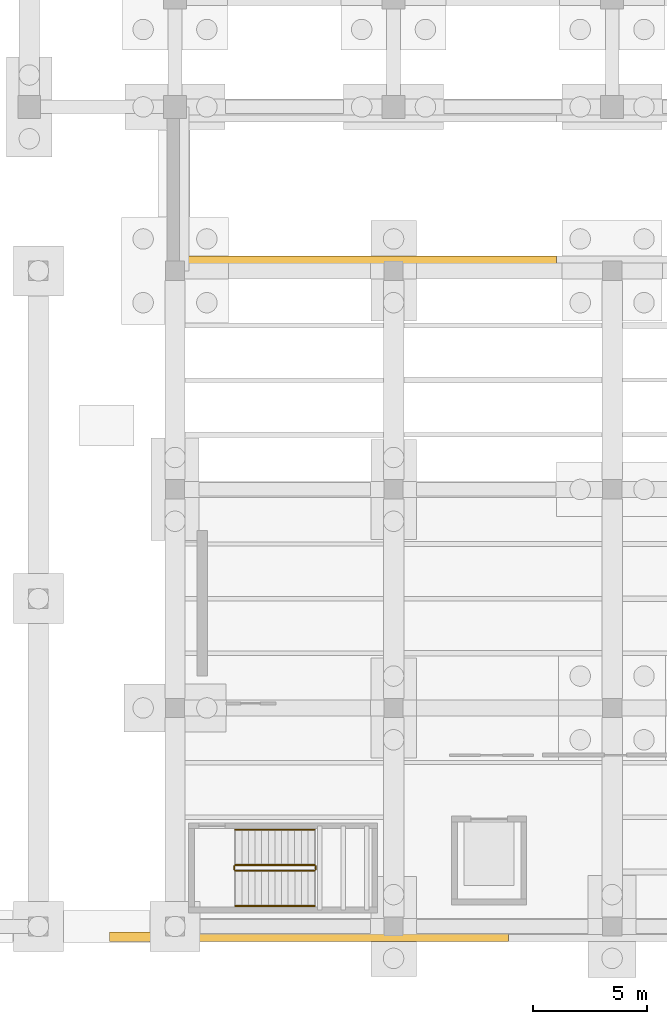
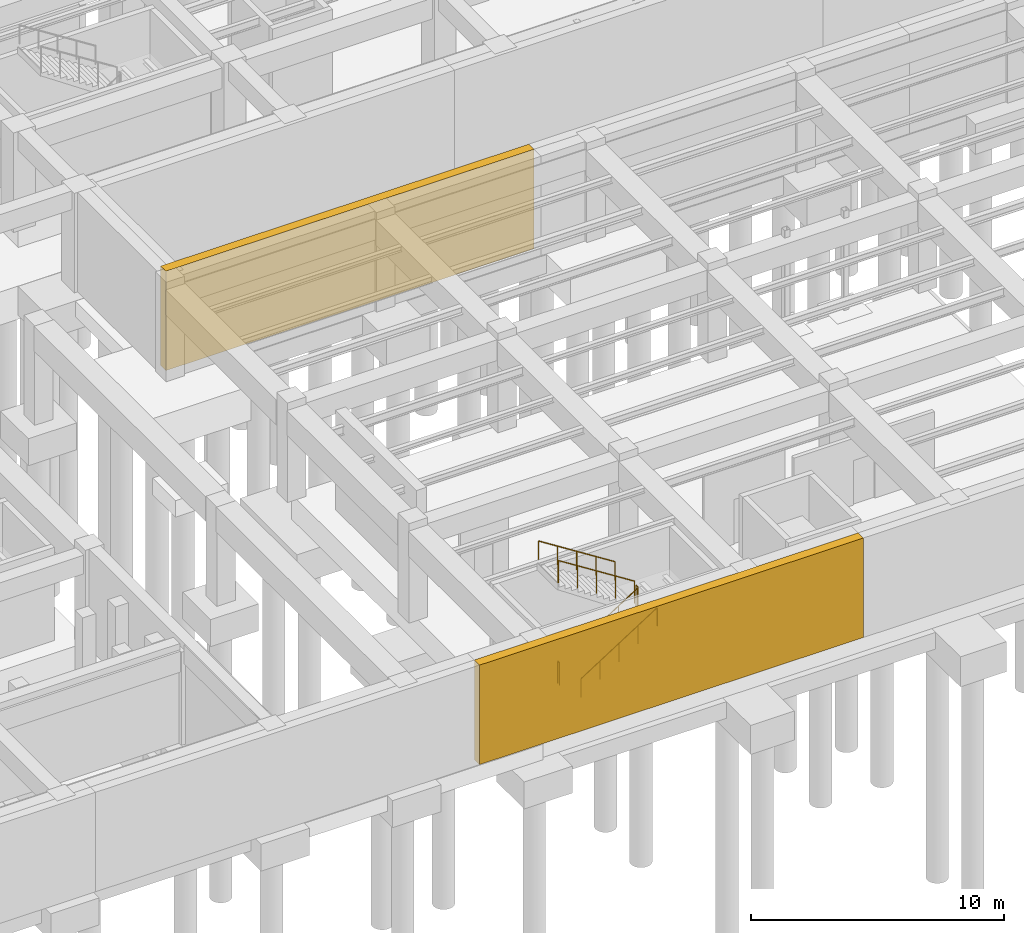
# One storey, part 49 of 56: 6 railings, 2 coverings.
"""IFC4 building model written with IfcOpenShell, lengths in metres."""

from ifc_helpers import new_model, si_unit, direction, frame, origin, origin_2d, place, context, subcontext, project, spatial, polyline, circle, outline, extrude, material, layer, layer_set, type_object, element, save


model = new_model("IFC4")

# Units and contexts
model_context = context("Model", 3, precision=1e-05, world=origin(), true_north=direction((0.0, 1.0)))
body_context = subcontext(model_context, "Body", "Model", "MODEL_VIEW")
ifc_project = project(units=[si_unit("LENGTHUNIT", "METRE"), si_unit("AREAUNIT", "SQUARE_METRE"), si_unit("VOLUMEUNIT", "CUBIC_METRE"), si_unit("PLANEANGLEUNIT", "RADIAN"), si_unit("MASSUNIT", "GRAM", prefix="KILO")], contexts=[model_context])

# Site, building, storey
site_placement = place(None, origin())
site = spatial("IfcSite", under=ifc_project, at=site_placement, CompositionType="ELEMENT")
building_placement = place(site_placement, origin())
building = spatial("IfcBuilding", under=site, at=building_placement, Name="Mavantir Sound Aquarium", CompositionType="ELEMENT")
storey_placement = place(building_placement, frame((0.0, 0.0, -9.60009765625)))
storey = spatial("IfcBuildingStorey", under=building, at=storey_placement, Name="B2", CompositionType="ELEMENT", Elevation=-9.60009765625)

# Coverings
ifc_material_1 = material(Name="Honed Coral-Limestone & Glazed Terracotta Rainscreen Cladding", Category="masonry")
ifc_layer = layer(ifc_material_1, 0.06005859375, Name="Honed Coral-Limestone & Glazed Terracotta Rainscreen Cladding")
ifc_layer_set = layer_set([ifc_layer], Name="Honed Coral-Limestone & Glazed Terracotta Rainscreen Cladding")
covering_type = type_object("IfcCoveringType", Name="COV-CLAD-TC", PredefinedType="CLADDING", material=ifc_layer_set)
covering_1_placement = place(storey_placement, origin())
element("IfcCovering", 1, at=covering_1_placement, inside=storey, type_object=covering_type, Name="B2 rusticated coral-stone plinth cladding 6", PredefinedType="CLADDING", context=body_context, shape_type="SweptSolid", body=[
    extrude(outline(polyline([(124.762451171875, 29.050048828125), (107.949951171875, 29.050048828125), (107.949951171875, 29.4599609375), (124.762451171875, 29.4599609375), (124.762451171875, 29.050048828125)])), origin(), (0.0, 0.0, 1.0), 4.800048828125),
])
covering_2_placement = place(storey_placement, origin())
element("IfcCovering", 2, at=covering_2_placement, inside=storey, type_object=covering_type, Name="B2 rusticated coral-stone plinth cladding 49", PredefinedType="CLADDING", context=body_context, shape_type="SweptSolid", body=[
    extrude(outline(polyline([(105.1201171875, -0.25), (122.639892578125, -0.25), (122.639892578125, -0.659912109375), (105.1201171875, -0.659912109375), (105.1201171875, -0.25)])), origin(), (0.0, 0.0, 1.0), 4.800048828125),
])

# Railings
ifc_material_2 = material(Name="Stainless Steel 316 and Laminated Glass Guardrail", Category="steel")
railing_type_1 = type_object("IfcRailingType", Name="RL-GUARD-110", PredefinedType="GUARDRAIL", material=ifc_material_2)
railing_1_placement = place(storey_placement, frame((110.64990234375, 2.449951171875, 0.184814453125)))
element("IfcRailing", 3, at=railing_1_placement, inside=storey, type_object=railing_type_1, Name="B2 ST6 stair guard 1", PredefinedType="GUARDRAIL", context=body_context, shape_type="SweptSolid", body=[
    extrude(circle(Radius=0.02392578125, at=origin_2d()), frame((0.0, 0.0, 1.076171875), z_axis=(0.843573748531, 0.0, 0.537013343214), x_axis=(0.0, 1.0, 0.0)), (0.0, 0.0, 1.0), 4.125244140625),
    extrude(circle(Radius=0.02099609375, at=origin_2d()), origin(), (0.0, 0.0, 1.0), 1.052001953125),
    extrude(circle(Radius=0.02099609375, at=origin_2d()), frame((0.8701171875, 0.0, 0.5537109375)), (0.0, 0.0, 1.0), 1.052001953125),
    extrude(circle(Radius=0.02099609375, at=origin_2d()), frame((1.739990234375, 0.0, 1.107666015625)), (0.0, 0.0, 1.0), 1.052001953125),
    extrude(circle(Radius=0.02099609375, at=origin_2d()), frame((2.60986328125, 0.0, 1.66162109375)), (0.0, 0.0, 1.0), 1.052001953125),
    extrude(circle(Radius=0.02099609375, at=origin_2d()), frame((3.47998046875, 0.0, 2.21533203125)), (0.0, 0.0, 1.0), 1.052001953125),
])
railing_2_placement = place(storey_placement, frame((114.179931640625, 2.5, 2.400146484375)))
element("IfcRailing", 4, at=railing_2_placement, inside=storey, type_object=railing_type_1, Name="B2 ST6 stair guard 2", PredefinedType="GUARDRAIL", context=body_context, shape_type="SweptSolid", body=[
    extrude(circle(Radius=0.02392578125, at=origin_2d()), frame((0.0, 0.0, 1.076171875), z_axis=(0.0, 1.0, 0.0), x_axis=(-1.0, 0.0, 0.0)), (0.0, 0.0, 1.0), 0.14990234375),
    extrude(circle(Radius=0.02099609375, at=origin_2d()), origin(), (0.0, 0.0, 1.0), 1.052001953125),
    extrude(circle(Radius=0.02099609375, at=origin_2d()), frame((0.0, 0.14990234375, 0.0)), (0.0, 0.0, 1.0), 1.052001953125),
])
railing_3_placement = place(storey_placement, frame((114.1298828125, 2.699951171875, 2.584716796875)))
element("IfcRailing", 5, at=railing_3_placement, inside=storey, type_object=railing_type_1, Name="B2 ST6 stair guard 3", PredefinedType="GUARDRAIL", context=body_context, shape_type="SweptSolid", body=[
    extrude(circle(Radius=0.02392578125, at=origin_2d()), frame((0.0, 0.0, 1.076171875), z_axis=(-0.843573748531, 0.0, 0.537013343214), x_axis=(0.0, -1.0, 0.0)), (0.0, 0.0, 1.0), 4.125244140625),
    extrude(circle(Radius=0.02099609375, at=origin_2d()), origin(), (0.0, 0.0, 1.0), 1.052001953125),
    extrude(circle(Radius=0.02099609375, at=origin_2d()), frame((-0.8701171875, 0.0, 0.5537109375)), (0.0, 0.0, 1.0), 1.052001953125),
    extrude(circle(Radius=0.02099609375, at=origin_2d()), frame((-1.739990234375, 0.0, 1.107666015625)), (0.0, 0.0, 1.0), 1.052001953125),
    extrude(circle(Radius=0.02099609375, at=origin_2d()), frame((-2.60986328125, 0.0, 1.66162109375)), (0.0, 0.0, 1.0), 1.052001953125),
    extrude(circle(Radius=0.02099609375, at=origin_2d()), frame((-3.47998046875, 0.0, 2.21533203125)), (0.0, 0.0, 1.0), 1.052001953125),
])
railing_4_placement = place(storey_placement, frame((110.60009765625, 2.5, 0.0)))
element("IfcRailing", 6, at=railing_4_placement, inside=storey, type_object=railing_type_1, Name="B2 ST6 stair guard 4", PredefinedType="GUARDRAIL", context=body_context, shape_type="SweptSolid", body=[
    extrude(circle(Radius=0.02392578125, at=origin_2d()), frame((0.0, 0.0, 1.076171875), z_axis=(0.0, 1.0, 0.0), x_axis=(-1.0, 0.0, 0.0)), (0.0, 0.0, 1.0), 0.14990234375),
    extrude(circle(Radius=0.02099609375, at=origin_2d()), origin(), (0.0, 0.0, 1.0), 1.052001953125),
    extrude(circle(Radius=0.02099609375, at=origin_2d()), frame((0.0, 0.14990234375, 0.0)), (0.0, 0.0, 1.0), 1.052001953125),
])
ifc_material_3 = material(Name="Brushed Stainless Steel 316 Handrail", Category="steel")
railing_type_2 = type_object("IfcRailingType", Name="RL-HR-90", PredefinedType="HANDRAIL", material=ifc_material_3)
railing_5_placement = place(storey_placement, frame((110.64990234375, 0.89990234375, 0.36962890625)))
element("IfcRailing", 7, at=railing_5_placement, inside=storey, type_object=railing_type_2, Name="B2 ST6 stair handrail 1", PredefinedType="HANDRAIL", context=body_context, shape_type="SweptSolid", body=[
    extrude(circle(Radius=0.02392578125, at=origin_2d()), frame((0.0, 0.0, 0.89111328125), z_axis=(0.843546938479, 0.0, 0.53705545578), x_axis=(0.0, 1.0, 0.0)), (0.0, 0.0, 1.0), 4.12548828125),
    extrude(circle(Radius=0.02099609375, at=origin_2d()), origin(), (0.0, 0.0, 1.0), 0.866943359375),
    extrude(circle(Radius=0.02099609375, at=origin_2d()), frame((0.8701171875, 0.0, 0.553955078125)), (0.0, 0.0, 1.0), 0.866943359375),
    extrude(circle(Radius=0.02099609375, at=origin_2d()), frame((1.739990234375, 0.0, 1.10791015625)), (0.0, 0.0, 1.0), 0.866943359375),
    extrude(circle(Radius=0.02099609375, at=origin_2d()), frame((2.60986328125, 0.0, 1.66162109375)), (0.0, 0.0, 1.0), 0.866943359375),
    extrude(circle(Radius=0.02099609375, at=origin_2d()), frame((3.47998046875, 0.0, 2.215576171875)), (0.0, 0.0, 1.0), 0.866943359375),
])
railing_6_placement = place(storey_placement, frame((114.1298828125, 4.25, 2.769775390625)))
element("IfcRailing", 8, at=railing_6_placement, inside=storey, type_object=railing_type_2, Name="B2 ST6 stair handrail 2", PredefinedType="HANDRAIL", context=body_context, shape_type="SweptSolid", body=[
    extrude(circle(Radius=0.02392578125, at=origin_2d()), frame((0.0, 0.0, 0.89111328125), z_axis=(-0.843573748531, 0.0, 0.537013343214), x_axis=(0.0, -1.0, 0.0)), (0.0, 0.0, 1.0), 4.125244140625),
    extrude(circle(Radius=0.02099609375, at=origin_2d()), origin(), (0.0, 0.0, 1.0), 0.866943359375),
    extrude(circle(Radius=0.02099609375, at=origin_2d()), frame((-0.8701171875, 0.0, 0.5537109375)), (0.0, 0.0, 1.0), 0.866943359375),
    extrude(circle(Radius=0.02099609375, at=origin_2d()), frame((-1.739990234375, 0.0, 1.107666015625)), (0.0, 0.0, 1.0), 0.866943359375),
    extrude(circle(Radius=0.02099609375, at=origin_2d()), frame((-2.60986328125, 0.0, 1.66162109375)), (0.0, 0.0, 1.0), 0.866943359375),
    extrude(circle(Radius=0.02099609375, at=origin_2d()), frame((-3.47998046875, 0.0, 2.21533203125)), (0.0, 0.0, 1.0), 0.866943359375),
])

save(model, "model.ifc")
